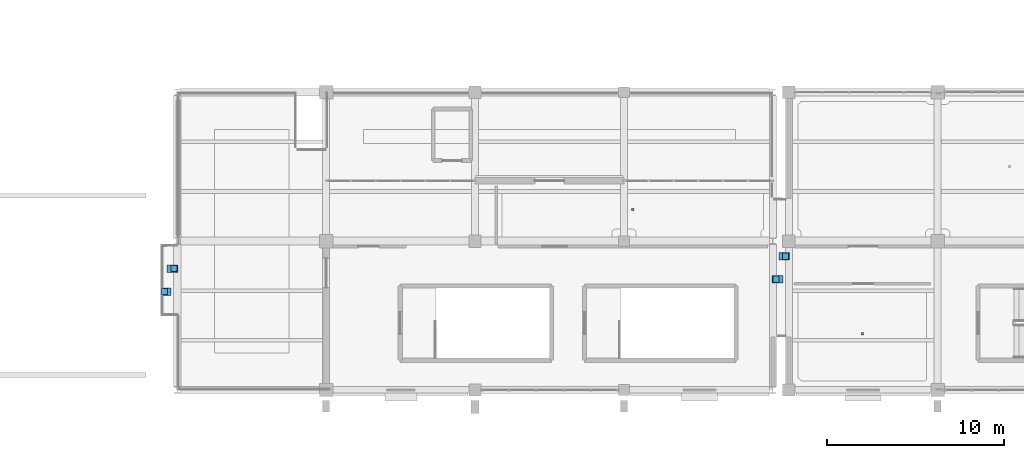
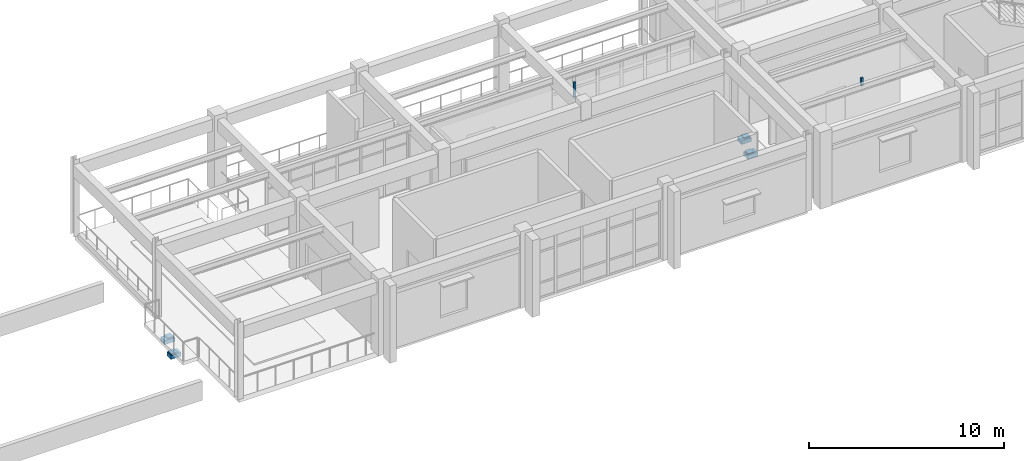
# One storey, part 80 of 98: 10 discrete accessories.
"""IFC4 building model written with IfcOpenShell, lengths in metres."""

import ifcopenshell
import ifcopenshell.guid

model = None  # the IFC model being written
_history = None  # IfcOwnerHistory: only IFC2X3 demands one
_inside = {}  # id of a spatial element -> (the spatial element, [elements in it])
_under = {}  # id of a project, library or spatial element -> (it, [spatial elements below it])
_declared = {}  # id of a project -> (the project, [libraries it declares])
_typed = {}  # id of a type object -> (the type object, [elements of that type])
_made_of = {}  # id of a material, layer set ... -> (it, [elements and type objects made of it])


def new_model(schema):
    """Start an empty IFC model of exactly this schema.

    Asked for "IFC4X3", IfcOpenShell would pick the latest addendum, in which some entities
    have other attributes; the version numbers below select the first issue.
    IFC2X3 requires an IfcOwnerHistory on every rooted entity: one is made here for all.
    """
    global model, _history
    if schema == "IFC4X3":
        model = ifcopenshell.file(schema_version=(4, 3, 0, 0))
    else:
        model = ifcopenshell.file(schema=schema)
    _inside.clear()
    _under.clear()
    _declared.clear()
    _typed.clear()
    _made_of.clear()
    _history = None
    if model.schema == "IFC2X3":
        org = make("IfcOrganization", Name="unknown")
        user = make(
            "IfcPersonAndOrganization",
            ThePerson=make("IfcPerson", FamilyName="unknown"),
            TheOrganization=org,
        )
        app = make(
            "IfcApplication",
            ApplicationDeveloper=org,
            Version="unknown",
            ApplicationFullName="unknown",
            ApplicationIdentifier="unknown",
        )
        _history = make(
            "IfcOwnerHistory",
            OwningUser=user,
            OwningApplication=app,
            ChangeAction="ADDED",
            CreationDate=0,
        )
    return model


def make(cls, **values):
    """One entity of the class cls with the attributes given. An attribute that is None is left unset."""
    return model.create_entity(
        cls, **{name: value for name, value in values.items() if value is not None}
    )


def rooted(cls, **values):
    """An entity with a GlobalId (a new one), such as an element, a storey or a relation."""
    return make(cls, GlobalId=ifcopenshell.guid.new(), OwnerHistory=_history, **values)


def si_unit(unit_type, name, prefix=None):
    """IfcSIUnit, for example si_unit("LENGTHUNIT", "METRE", prefix="MILLI")."""
    return make("IfcSIUnit", UnitType=unit_type, Prefix=prefix, Name=name)


def assignment(units):
    """IfcUnitAssignment: the units of a project."""
    return None if units is None else make("IfcUnitAssignment", Units=units)


def point(xyz):
    """IfcCartesianPoint."""
    return None if xyz is None else make("IfcCartesianPoint", Coordinates=xyz)


def direction(xyz):
    """IfcDirection."""
    return None if xyz is None else make("IfcDirection", DirectionRatios=xyz)


def frame(location, z_axis=None, x_axis=None):
    """IfcAxis2Placement3D, a coordinate frame: its origin and axes. An axis left out is left unset."""
    return make(
        "IfcAxis2Placement3D",
        Location=point(location),
        Axis=direction(z_axis),
        RefDirection=direction(x_axis),
    )


def frame_2d(location, x_axis=None):
    """IfcAxis2Placement2D, a coordinate frame in the plane: its origin and x axis."""
    return make(
        "IfcAxis2Placement2D", Location=point(location), RefDirection=direction(x_axis)
    )


def origin():
    """The frame at (0, 0, 0) with its axes left unset."""
    return frame((0.0, 0.0, 0.0))


def origin_2d():
    """The frame at (0, 0) in the plane with its x axis left unset."""
    return frame_2d((0.0, 0.0))


def place(relative_to, where):
    """IfcLocalPlacement: puts the frame where relative to a parent placement (None: the world)."""
    return make(
        "IfcLocalPlacement", PlacementRelTo=relative_to, RelativePlacement=where
    )


def context(
    kind, dimensions, precision=None, world=None, true_north=None, identifier=None
):
    """IfcGeometricRepresentationContext, for example the 3D "Model" context."""
    return make(
        "IfcGeometricRepresentationContext",
        ContextIdentifier=identifier,
        ContextType=kind,
        CoordinateSpaceDimension=dimensions,
        Precision=precision,
        WorldCoordinateSystem=world,
        TrueNorth=true_north,
    )


def subcontext(parent, identifier, kind, view, scale=None):
    """IfcGeometricRepresentationSubContext, for example "Body" below "Model"."""
    return make(
        "IfcGeometricRepresentationSubContext",
        ContextIdentifier=identifier,
        ContextType=kind,
        ParentContext=parent,
        TargetScale=scale,
        TargetView=view,
    )


def project(units=None, contexts=None):
    """IfcProject with its units and contexts."""
    return rooted(
        "IfcProject",
        Name="project",
        RepresentationContexts=contexts,
        UnitsInContext=assignment(units),
    )


def spatial(cls, under=None, at=None, **own):
    """A site, building, storey or space (cls), placed at a placement, below another one or the project."""
    s = rooted(cls, ObjectPlacement=at, **own)
    if under is not None:
        _under.setdefault(under.id(), (under, []))[1].append(s)
    return s


def profile(cls, at=None, kind="AREA", **sizes):
    """A parametric profile (cls). Its sizes go by their IFC names, for example OverallWidth=200.0."""
    return make(cls, ProfileType=kind, Position=at, **sizes)


def rectangle(**sizes):
    """IfcRectangleProfileDef."""
    return profile("IfcRectangleProfileDef", **sizes)


def extrude(swept, where, along, depth):
    """IfcExtrudedAreaSolid: the profile swept, set in the frame where, extruded along a direction by depth."""
    return make(
        "IfcExtrudedAreaSolid",
        SweptArea=swept,
        Position=where,
        ExtrudedDirection=direction(along),
        Depth=depth,
    )


def shape(context_of_items, identifier, shape_type, items):
    """IfcShapeRepresentation: the items that make up one representation, for example the "Body"."""
    return make(
        "IfcShapeRepresentation",
        ContextOfItems=context_of_items,
        RepresentationIdentifier=identifier,
        RepresentationType=shape_type,
        Items=items,
    )


def material(Name=None, Category=None):
    """IfcMaterial."""
    return make("IfcMaterial", Name=Name, Category=Category)


def layer(
    of_material, thickness, ventilated=None, Name=None, Category=None, Priority=None
):
    """IfcMaterialLayer: one layer of a wall or slab, of a material (None: an air gap)."""
    return make(
        "IfcMaterialLayer",
        Material=of_material,
        LayerThickness=thickness,
        IsVentilated=ventilated,
        Name=Name,
        Category=Category,
        Priority=Priority,
    )


def layer_set(layers, Name=None):
    """IfcMaterialLayerSet."""
    return make("IfcMaterialLayerSet", MaterialLayers=layers, LayerSetName=Name)


def made_of(thing, what):
    """Note that an element or type object is made of a material, layer set ...; save() writes the relation."""
    if what is not None:
        _made_of.setdefault(what.id(), (what, []))[1].append(thing)
    return thing


def type_object(cls, material=None, **own):
    """A type object (cls), such as IfcWallType, which elements share."""
    return made_of(rooted(cls, **own), material)


def element(
    cls,
    number,
    at=None,
    inside=None,
    cuts=None,
    type_object=None,
    material=None,
    context=None,
    identifier="Body",
    shape_type=None,
    held_by="IfcProductDefinitionShape",
    body=None,
    shapes=None,
    **own,
):
    """One element of the class cls, such as IfcWall. Its Tag is "e" and its number.

    at: its placement. inside: the storey or other place that contains it. cuts: it is an
    opening in that element (IfcRelVoidsElement). A single representation is given by context,
    identifier, shape_type and body (its items); several are given by shapes. held_by: the class
    of the entity that holds the representations. save() writes the other relations.
    """
    e = rooted(cls, Tag="e%d" % number, ObjectPlacement=at, **own)
    if body is not None:
        shapes = [shape(context, identifier, shape_type, body)]
    if shapes is not None:
        e.Representation = make(held_by, Representations=shapes)
    if inside is not None:
        _inside.setdefault(inside.id(), (inside, []))[1].append(e)
    if cuts is not None:
        rooted(
            "IfcRelVoidsElement", RelatingBuildingElement=cuts, RelatedOpeningElement=e
        )
    if type_object is not None:
        _typed.setdefault(type_object.id(), (type_object, []))[1].append(e)
    return made_of(e, material)


def aggregate(whole, parts):
    """IfcRelAggregates: a whole, such as a stair, and the parts it consists of."""
    return rooted("IfcRelAggregates", RelatingObject=whole, RelatedObjects=parts)


def save(model, path):
    """Write the relations noted so far, then the file.

    IfcRelAggregates (storeys below a building ...), IfcRelContainedInSpatialStructure (elements
    in a storey), IfcRelDefinesByType, IfcRelAssociatesMaterial and IfcRelDeclares: one each for
    every whole, place, type object, material and project.
    """
    for whole, parts in _under.values():
        aggregate(whole, parts)
    for where, things in _inside.values():
        rooted(
            "IfcRelContainedInSpatialStructure",
            RelatedElements=things,
            RelatingStructure=where,
        )
    for kind, things in _typed.values():
        rooted("IfcRelDefinesByType", RelatedObjects=things, RelatingType=kind)
    for what, things in _made_of.values():
        rooted("IfcRelAssociatesMaterial", RelatedObjects=things, RelatingMaterial=what)
    for by, libraries in _declared.values():
        rooted("IfcRelDeclares", RelatingContext=by, RelatedDefinitions=libraries)
    model.write(path)


model = new_model("IFC4")

# Units and contexts
model_context = context("Model", 3, precision=1e-05, world=origin(), true_north=direction((0.0, 1.0)))
body_context = subcontext(model_context, "Body", "Model", "MODEL_VIEW")
ifc_project = project(units=[si_unit("LENGTHUNIT", "METRE"), si_unit("AREAUNIT", "SQUARE_METRE"), si_unit("VOLUMEUNIT", "CUBIC_METRE"), si_unit("PLANEANGLEUNIT", "RADIAN"), si_unit("MASSUNIT", "GRAM", prefix="KILO")], contexts=[model_context])

# Site, building, storey
site_placement = place(None, origin())
site = spatial("IfcSite", under=ifc_project, at=site_placement, CompositionType="ELEMENT")
building_placement = place(site_placement, origin())
building = spatial("IfcBuilding", under=site, at=building_placement, Name="Canglan Escarpment Cableway Terminal", CompositionType="ELEMENT")
storey_placement = place(building_placement, frame((0.0, 0.0, 9.60009765625)))
storey = spatial("IfcBuildingStorey", under=building, at=storey_placement, Name="L02", CompositionType="ELEMENT", Elevation=9.60009765625)

# Discrete accessories
ifc_material_1 = material(Name="Steel Q355B", Category="steel")
ifc_layer_1 = layer(ifc_material_1, 0.159912109375, Name="Steel Q355B")
ifc_layer_set_1 = layer_set([ifc_layer_1], Name="Steel Q355B")
discrete_accessory_type_1 = type_object("IfcDiscreteAccessoryType", Name="ACC-BRACKET-01", PredefinedType="BRACKET", material=ifc_layer_set_1)
discrete_accessory_1_placement = place(storey_placement, frame((68.199951171875, 18.179931640625, 3.619873046875), z_axis=(0.0, 0.0, 1.0), x_axis=(1.0, 0.0, 0.0)))
element("IfcDiscreteAccessory", 1, at=discrete_accessory_1_placement, inside=storey, type_object=discrete_accessory_type_1, Name="Suspended ceiling hanger bracket BK-01", PredefinedType="BRACKET", context=body_context, shape_type="SweptSolid", body=[
    extrude(rectangle(XDim=0.1201171875, YDim=0.1201171875, at=origin_2d()), origin(), (0.0, 0.0, 1.0), 0.919921875),
])
discrete_accessory_2_placement = place(storey_placement, frame((81.14990234375, 11.17578125, 4.039794921875), z_axis=(0.0, 0.0, 1.0), x_axis=(1.0, 0.0, 0.0)))
element("IfcDiscreteAccessory", 2, at=discrete_accessory_2_placement, inside=storey, type_object=discrete_accessory_type_1, Name="Suspended ceiling hanger bracket BK-01", PredefinedType="BRACKET", context=body_context, shape_type="SweptSolid", body=[
    extrude(rectangle(XDim=0.1201171875, YDim=0.1201171875, at=origin_2d()), origin(), (0.0, 0.0, 1.0), 0.5),
])
ifc_material_2 = material(Name="Concrete C40", Category="concrete")
ifc_layer_2 = layer(ifc_material_2, 0.239990234375, Name="Concrete C40")
ifc_layer_set_2 = layer_set([ifc_layer_2], Name="Concrete C40")
discrete_accessory_type_2 = type_object("IfcDiscreteAccessoryType", Name="ACC-CORBEL-CB01", PredefinedType="BRACKET", material=ifc_layer_set_2)
for number, where, z_axis, x_axis, name in (
    (3, (41.860107421875, 13.550048828125, -0.5400390625), (0.0, 0.0, 1.0), (1.0, 0.0, 0.0), "Concrete C40 movement-joint corbel bearing ledge CB-01"),
    (4, (42.235107421875, 14.85009765625, -0.5400390625), (0.0, 0.0, 1.0), (1.0, 0.0, 0.0), "Concrete C40 movement-joint corbel bearing ledge CB-01"),
    (5, (76.364990234375, 14.25, -0.5400390625), (0.0, 0.0, 1.0), (1.0, 0.0, 0.0), "Concrete C40 movement-joint corbel bearing ledge CB-01"),
    (6, (76.735107421875, 15.550048828125, -0.5400390625), (0.0, 0.0, 1.0), (1.0, 0.0, 0.0), "Concrete C40 movement-joint corbel bearing ledge CB-01"),
):
    element("IfcDiscreteAccessory", number, at=place(storey_placement, frame(where, z_axis=z_axis, x_axis=x_axis)), inside=storey, type_object=discrete_accessory_type_2, Name=name, PredefinedType="BRACKET", context=body_context, shape_type="SweptSolid", body=[
        extrude(rectangle(XDim=0.60009765625, YDim=0.419921875, at=origin_2d()), origin(), (0.0, 0.0, 1.0), 0.239990234375),
    ])
ifc_material_3 = material(Name="Stainless steel and PTFE elastomer", Category="steel")
ifc_layer_3 = layer(ifc_material_3, 0.080078125, Name="Stainless steel and PTFE elastomer")
ifc_layer_set_3 = layer_set([ifc_layer_3], Name="Stainless steel and PTFE elastomer")
discrete_accessory_type_3 = type_object("IfcDiscreteAccessoryType", Name="BRG-SLIDING-MJ01", PredefinedType="USERDEFINED", material=ifc_layer_set_3)
for number, where, z_axis, x_axis, name in (
    (7, (41.780029296875, 13.550048828125, -0.300048828125), (0.0, 0.0, 1.0), (1.0, 0.0, 0.0), "Unguided PTFE-elastomeric sliding bearing pad MJ-01"),
    (8, (42.31494140625, 14.85009765625, -0.300048828125), (0.0, 0.0, 1.0), (1.0, 0.0, 0.0), "Unguided PTFE-elastomeric sliding bearing pad MJ-01"),
    (9, (76.284912109375, 14.25, -0.300048828125), (0.0, 0.0, 1.0), (1.0, 0.0, 0.0), "Unguided PTFE-elastomeric sliding bearing pad MJ-01"),
    (10, (76.81494140625, 15.550048828125, -0.300048828125), (0.0, 0.0, 1.0), (1.0, 0.0, 0.0), "Unguided PTFE-elastomeric sliding bearing pad MJ-01"),
):
    element("IfcDiscreteAccessory", number, at=place(storey_placement, frame(where, z_axis=z_axis, x_axis=x_axis)), inside=storey, type_object=discrete_accessory_type_3, Name=name, ObjectType="SLIDING BEARING", PredefinedType="USERDEFINED", context=body_context, shape_type="SweptSolid", body=[
        extrude(rectangle(XDim=0.35009765625, YDim=0.35009765625, at=origin_2d()), origin(), (0.0, 0.0, 1.0), 0.080078125),
    ])

save(model, "model.ifc")
